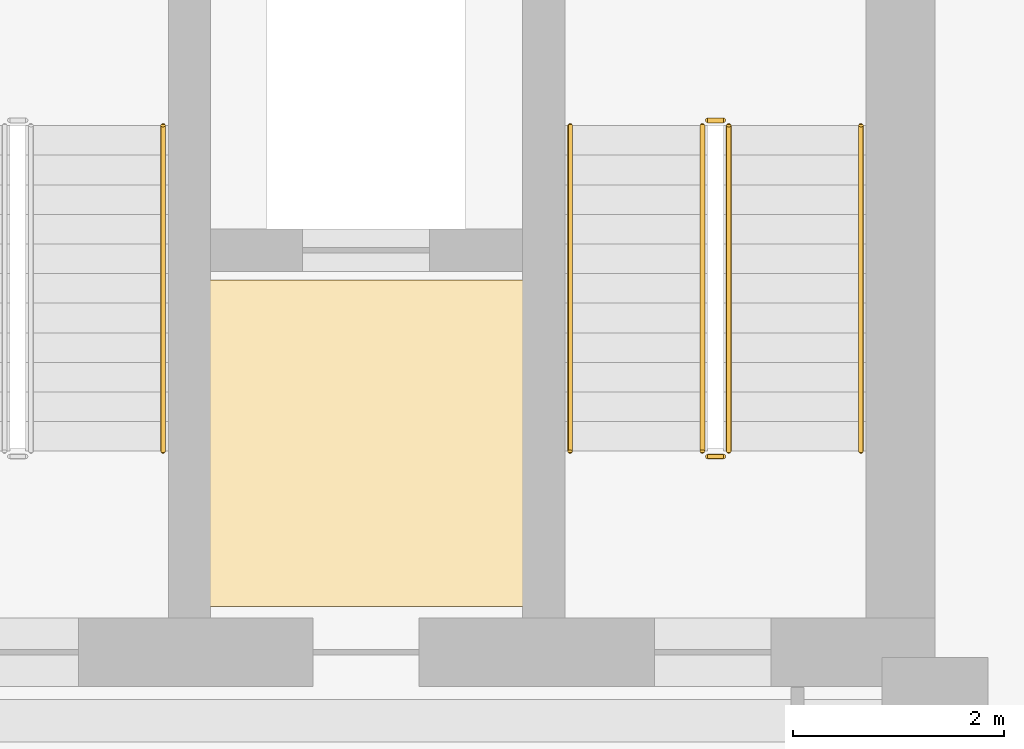
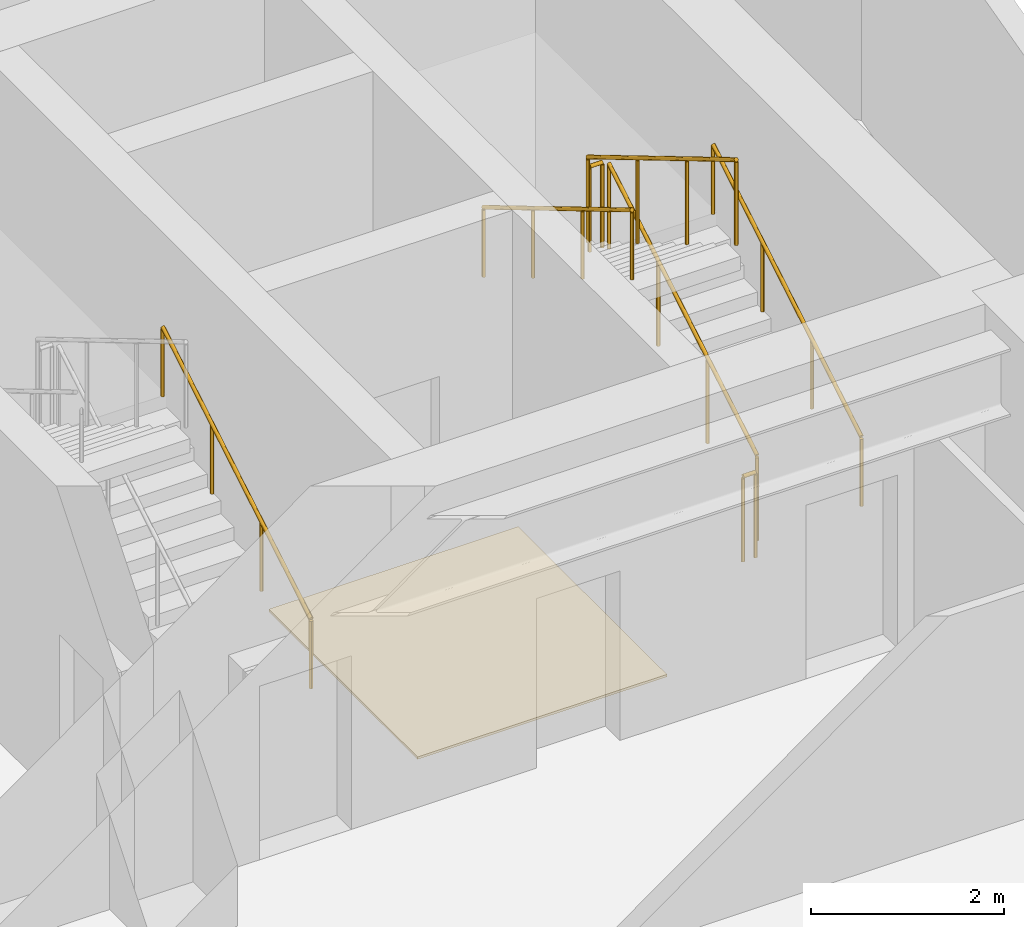
# One storey, part 26 of 26: 7 railings, 1 covering.
"""IFC4 building model written with IfcOpenShell, lengths in metres."""

from ifc_helpers import new_model, si_unit, direction, frame, origin, origin_2d, place, context, subcontext, project, spatial, polyline, circle, outline, extrude, material, layer, layer_set, type_object, element, save


model = new_model("IFC4")

# Units and contexts
model_context = context("Model", 3, precision=1e-05, world=origin(), true_north=direction((0.0, 1.0)))
body_context = subcontext(model_context, "Body", "Model", "MODEL_VIEW")
ifc_project = project(units=[si_unit("LENGTHUNIT", "METRE"), si_unit("AREAUNIT", "SQUARE_METRE"), si_unit("VOLUMEUNIT", "CUBIC_METRE"), si_unit("PLANEANGLEUNIT", "RADIAN"), si_unit("MASSUNIT", "GRAM", prefix="KILO")], contexts=[model_context])

# Site, building, storey
site_placement = place(None, origin())
site = spatial("IfcSite", under=ifc_project, at=site_placement, CompositionType="ELEMENT")
building_placement = place(site_placement, origin())
building = spatial("IfcBuilding", under=site, at=building_placement, Name="Kravanh Interchange Tower", CompositionType="ELEMENT")
storey_placement = place(building_placement, frame((0.0, 0.0, 120.0)))
storey = spatial("IfcBuildingStorey", under=building, at=storey_placement, Name="L28", CompositionType="ELEMENT", Elevation=120.0)

# Covering
ifc_material_1 = material(Name="Cementitious Terrazzo Tile")
ifc_layer_1 = layer(ifc_material_1, 0.030029296875)
ifc_layer_set_1 = layer_set([ifc_layer_1], Name="Honed Terrazzo Lobby Flooring 30mm")
covering_type = type_object("IfcCoveringType", Name="Honed Terrazzo Lobby Flooring 30mm", PredefinedType="FLOORING", material=ifc_layer_set_1)
covering_placement = place(storey_placement, origin())
element("IfcCovering", 1, at=covering_placement, inside=storey, type_object=covering_type, Name="L28 Service Lift Lobby Floor Finish", PredefinedType="FLOORING", context=body_context, shape_type="SweptSolid", body=[
    extrude(outline(polyline([(59.6298828125, 41.52001953125), (62.6201171875, 41.52001953125), (62.6201171875, 38.429931640625), (59.6298828125, 38.429931640625), (59.6298828125, 41.52001953125)])), origin(), (0.0, 0.0, 1.0), 0.030029296875),
])

# Railings
ifc_material_2 = material(Name="Structural Steel S355", Category="steel")
ifc_layer_2 = layer(ifc_material_2, 0.050048828125)
ifc_layer_set_2 = layer_set([ifc_layer_2], Name="Stair Well Guardrail Structural Steel S355 1100mm")
railing_type_1 = type_object("IfcRailingType", Name="Stair Well Guardrail Structural Steel S355 1100mm", PredefinedType="GUARDRAIL", material=ifc_layer_set_2)
railing_1_placement = place(storey_placement, frame((64.550048828125, 39.89990234375, 0.166748046875)))
element("IfcRailing", 2, at=railing_1_placement, inside=storey, type_object=railing_type_1, Name="L28 ST1 stair guard 1", PredefinedType="GUARDRAIL", context=body_context, shape_type="SweptSolid", body=[
    extrude(circle(Radius=0.02392578125, at=origin_2d()), frame((0.0, 0.0, 1.076171875), z_axis=(0.0, 0.859308565015, 0.511457515432), x_axis=(-1.0, 0.0, 0.0)), (0.0, 0.0, 1.0), 3.58447265625),
    extrude(circle(Radius=0.02099609375, at=origin_2d()), origin(), (0.0, 0.0, 1.0), 1.052001953125),
    extrude(circle(Radius=0.02099609375, at=origin_2d()), frame((0.0, 1.026611328125, 0.611083984375)), (0.0, 0.0, 1.0), 1.052001953125),
    extrude(circle(Radius=0.02099609375, at=origin_2d()), frame((0.0, 2.053466796875, 1.22216796875)), (0.0, 0.0, 1.0), 1.052001953125),
    extrude(circle(Radius=0.02099609375, at=origin_2d()), frame((0.0, 3.080078125, 1.833251953125)), (0.0, 0.0, 1.0), 1.052001953125),
])
railing_2_placement = place(storey_placement, frame((64.5, 43.030029296875, 2.0)))
element("IfcRailing", 3, at=railing_2_placement, inside=storey, type_object=railing_type_1, Name="L28 ST1 stair guard 2", PredefinedType="GUARDRAIL", context=body_context, shape_type="SweptSolid", body=[
    extrude(circle(Radius=0.02392578125, at=origin_2d()), frame((0.0, 0.0, 1.076171875), z_axis=(-1.0, 0.0, 0.0), x_axis=(0.0, -1.0, 0.0)), (0.0, 0.0, 1.0), 0.14990234375),
    extrude(circle(Radius=0.02099609375, at=origin_2d()), origin(), (0.0, 0.0, 1.0), 1.052001953125),
    extrude(circle(Radius=0.02099609375, at=origin_2d()), frame((-0.14990234375, 0.0, 0.0)), (0.0, 0.0, 1.0), 1.052001953125),
])
railing_3_placement = place(storey_placement, frame((64.300048828125, 42.97998046875, 2.166748046875)))
element("IfcRailing", 4, at=railing_3_placement, inside=storey, type_object=railing_type_1, Name="L28 ST1 stair guard 3", PredefinedType="GUARDRAIL", context=body_context, shape_type="SweptSolid", body=[
    extrude(circle(Radius=0.02392578125, at=origin_2d()), frame((0.0, 0.0, 1.076171875), z_axis=(0.0, -0.859308565015, 0.511457515432), x_axis=(1.0, 0.0, 0.0)), (0.0, 0.0, 1.0), 3.58447265625),
    extrude(circle(Radius=0.02099609375, at=origin_2d()), origin(), (0.0, 0.0, 1.0), 1.052001953125),
    extrude(circle(Radius=0.02099609375, at=origin_2d()), frame((0.0, -1.026611328125, 0.611083984375)), (0.0, 0.0, 1.0), 1.052001953125),
    extrude(circle(Radius=0.02099609375, at=origin_2d()), frame((0.0, -2.053466796875, 1.22216796875)), (0.0, 0.0, 1.0), 1.052001953125),
    extrude(circle(Radius=0.02099609375, at=origin_2d()), frame((0.0, -3.080078125, 1.833251953125)), (0.0, 0.0, 1.0), 1.052001953125),
])
railing_4_placement = place(storey_placement, frame((64.5, 39.85009765625, 0.0)))
element("IfcRailing", 5, at=railing_4_placement, inside=storey, type_object=railing_type_1, Name="L28 ST1 stair guard 4", PredefinedType="GUARDRAIL", context=body_context, shape_type="SweptSolid", body=[
    extrude(circle(Radius=0.02392578125, at=origin_2d()), frame((0.0, 0.0, 1.076171875), z_axis=(-1.0, 0.0, 0.0), x_axis=(0.0, -1.0, 0.0)), (0.0, 0.0, 1.0), 0.14990234375),
    extrude(circle(Radius=0.02099609375, at=origin_2d()), origin(), (0.0, 0.0, 1.0), 1.052001953125),
    extrude(circle(Radius=0.02099609375, at=origin_2d()), frame((-0.14990234375, 0.0, 0.0)), (0.0, 0.0, 1.0), 1.052001953125),
])
ifc_material_3 = material(Name="Stainless Steel 304", Category="steel")
ifc_layer_3 = layer(ifc_material_3, 0.044921875)
ifc_layer_set_3 = layer_set([ifc_layer_3], Name="Tubular Stair Handrail Stainless 304 900mm")
railing_type_2 = type_object("IfcRailingType", Name="Tubular Stair Handrail Stainless 304 900mm", PredefinedType="HANDRAIL", material=ifc_layer_set_3)
railing_5_placement = place(storey_placement, frame((65.800048828125, 39.89990234375, 0.166748046875)))
element("IfcRailing", 6, at=railing_5_placement, inside=storey, type_object=railing_type_2, Name="L28 ST1 stair handrail 1", PredefinedType="HANDRAIL", context=body_context, shape_type="SweptSolid", body=[
    extrude(circle(Radius=0.02392578125, at=origin_2d()), frame((0.0, 0.0, 0.8759765625), z_axis=(0.0, 0.859308565015, 0.511457515432), x_axis=(-1.0, 0.0, 0.0)), (0.0, 0.0, 1.0), 3.58447265625),
    extrude(circle(Radius=0.02099609375, at=origin_2d()), origin(), (0.0, 0.0, 1.0), 0.851806640625),
    extrude(circle(Radius=0.02099609375, at=origin_2d()), frame((0.0, 1.026611328125, 0.611083984375)), (0.0, 0.0, 1.0), 0.851806640625),
    extrude(circle(Radius=0.02099609375, at=origin_2d()), frame((0.0, 2.053466796875, 1.22216796875)), (0.0, 0.0, 1.0), 0.851806640625),
    extrude(circle(Radius=0.02099609375, at=origin_2d()), frame((0.0, 3.080078125, 1.833251953125)), (0.0, 0.0, 1.0), 0.851806640625),
])
railing_6_placement = place(storey_placement, frame((63.050048828125, 42.97998046875, 2.166748046875)))
element("IfcRailing", 7, at=railing_6_placement, inside=storey, type_object=railing_type_2, Name="L28 ST1 stair handrail 2", PredefinedType="HANDRAIL", context=body_context, shape_type="SweptSolid", body=[
    extrude(circle(Radius=0.02392578125, at=origin_2d()), frame((0.0, 0.0, 0.8759765625), z_axis=(0.0, -0.859308565015, 0.511457515432), x_axis=(1.0, 0.0, 0.0)), (0.0, 0.0, 1.0), 3.58447265625),
    extrude(circle(Radius=0.02099609375, at=origin_2d()), origin(), (0.0, 0.0, 1.0), 0.851806640625),
    extrude(circle(Radius=0.02099609375, at=origin_2d()), frame((0.0, -1.026611328125, 0.611083984375)), (0.0, 0.0, 1.0), 0.851806640625),
    extrude(circle(Radius=0.02099609375, at=origin_2d()), frame((0.0, -2.053466796875, 1.22216796875)), (0.0, 0.0, 1.0), 0.851806640625),
    extrude(circle(Radius=0.02099609375, at=origin_2d()), frame((0.0, -3.080078125, 1.833251953125)), (0.0, 0.0, 1.0), 0.851806640625),
])
railing_7_placement = place(storey_placement, frame((59.199951171875, 39.89990234375, 0.166748046875)))
element("IfcRailing", 8, at=railing_7_placement, inside=storey, type_object=railing_type_2, Name="L28 ST2 stair handrail 1", PredefinedType="HANDRAIL", context=body_context, shape_type="SweptSolid", body=[
    extrude(circle(Radius=0.02392578125, at=origin_2d()), frame((0.0, 0.0, 0.8759765625), z_axis=(0.0, 0.859308565015, 0.511457515432), x_axis=(-1.0, 0.0, 0.0)), (0.0, 0.0, 1.0), 3.58447265625),
    extrude(circle(Radius=0.02099609375, at=origin_2d()), origin(), (0.0, 0.0, 1.0), 0.851806640625),
    extrude(circle(Radius=0.02099609375, at=origin_2d()), frame((0.0, 1.026611328125, 0.611083984375)), (0.0, 0.0, 1.0), 0.851806640625),
    extrude(circle(Radius=0.02099609375, at=origin_2d()), frame((0.0, 2.053466796875, 1.22216796875)), (0.0, 0.0, 1.0), 0.851806640625),
    extrude(circle(Radius=0.02099609375, at=origin_2d()), frame((0.0, 3.080078125, 1.833251953125)), (0.0, 0.0, 1.0), 0.851806640625),
])

save(model, "model.ifc")
